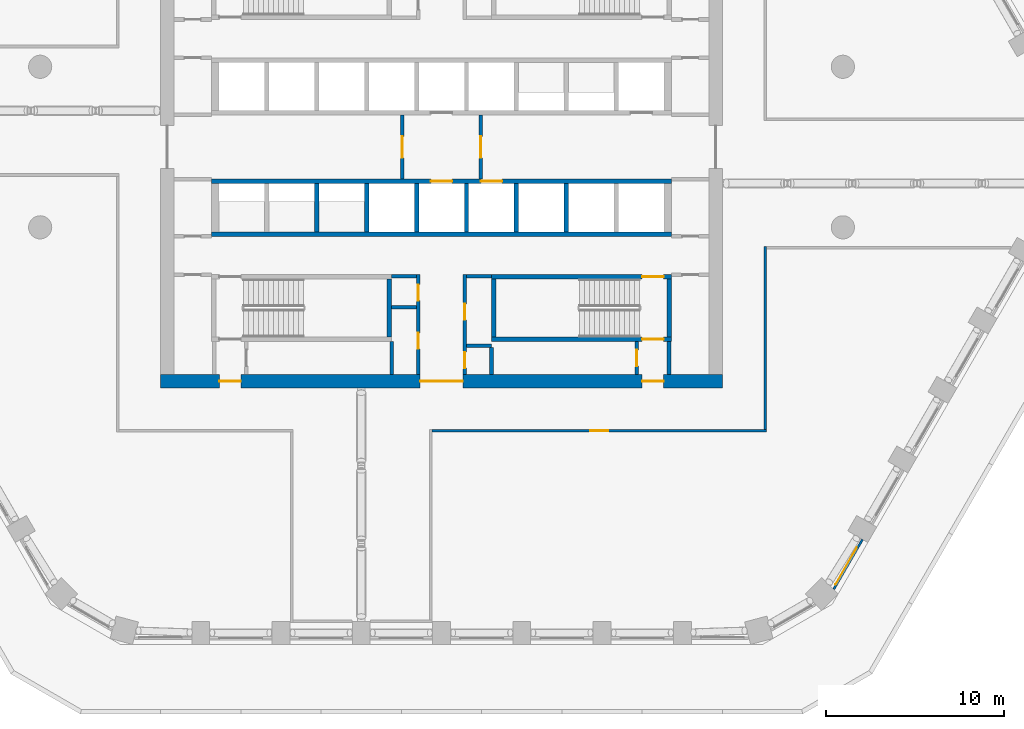
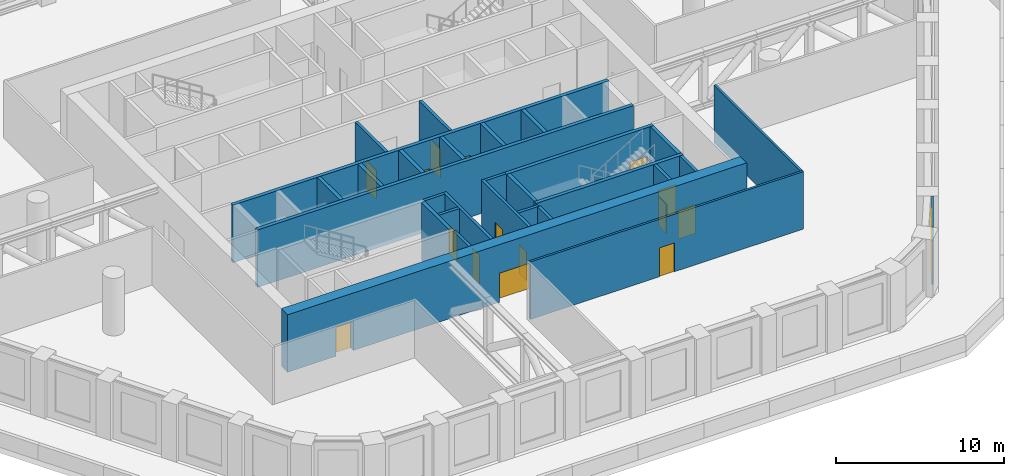
# One storey, part 7 of 18: 29 walls, 15 doors, 1 window, 16 openings.
"""IFC4 building model written with IfcOpenShell, lengths in metres."""

from ifc_helpers import new_model, si_unit, direction, frame, frame_2d, origin, place, context, subcontext, project, spatial, polyline, rectangle, outline, extrude, material, layer, layer_set, type_object, element, fill, save


model = new_model("IFC4")

# Units and contexts
model_context = context("Model", 3, precision=1e-05, world=origin(), true_north=direction((0.0, 1.0)))
body_context = subcontext(model_context, "Body", "Model", "MODEL_VIEW")
ifc_project = project(units=[si_unit("LENGTHUNIT", "METRE"), si_unit("AREAUNIT", "SQUARE_METRE"), si_unit("VOLUMEUNIT", "CUBIC_METRE"), si_unit("PLANEANGLEUNIT", "RADIAN"), si_unit("MASSUNIT", "GRAM", prefix="KILO")], contexts=[model_context])

# Site, building, storey
site_placement = place(None, origin())
site = spatial("IfcSite", under=ifc_project, at=site_placement, CompositionType="ELEMENT")
building_placement = place(site_placement, origin())
building = spatial("IfcBuilding", under=site, at=building_placement, Name="Dhurran Vertical Campus", CompositionType="ELEMENT")
storey_placement = place(building_placement, frame((0.0, 0.0, 128.10009765625)))
storey = spatial("IfcBuildingStorey", under=building, at=storey_placement, Name="L31 Plant", CompositionType="ELEMENT", Elevation=128.10009765625)

# Wall, opening, window
ifc_material_1 = material(Name="Precast concrete C50/60", Category="concrete")
ifc_layer_1 = layer(ifc_material_1, 0.1201171875)
ifc_layer_set_1 = layer_set([ifc_layer_1], Name="Precast concrete C50/60")
wall_type_1 = type_object("IfcWallType", Name="Precast louvre-bay panel 120", PredefinedType="SOLIDWALL", material=ifc_layer_set_1)
wall_1_placement = place(storey_placement, frame((21.989990234375, -24.783935546875, 0.0), z_axis=(0.0, 0.0, 1.0), x_axis=(0.500031105231, 0.866007444426, 0.0)))
wall_1 = element("IfcWall", 1, at=wall_1_placement, inside=storey, type_object=wall_type_1, Name="EW4 L31.09", PredefinedType="SOLIDWALL", context=body_context, shape_type="SweptSolid", body=[
    extrude(rectangle(XDim=3.218017578125, YDim=0.1201171875, at=frame_2d((1.60888671875, 0.0))), origin(), (0.0, 0.0, 1.0), 4.1748046875),
])
opening_1_placement = place(wall_1_placement, frame((0.2685546875, 0.0, 0.60009765625)))
opening_1 = element("IfcOpeningElement", 2, at=opening_1_placement, cuts=wall_1, Name="Opening WT4", PredefinedType="OPENING", context=body_context, shape_type="SweptSolid", body=[
    extrude(rectangle(XDim=2.39990234375, YDim=3.0, at=frame_2d((1.199951171875, 1.5))), frame((0.0, 0.070068359375, 0.0), z_axis=(0.0, -1.0, 0.0), x_axis=(1.0, 0.0, 0.0)), (0.0, 0.0, 1.0), 0.14013671875),
])
ifc_material_2 = material(Name="Aluminium louvre", Category="aluminium")
window_type = type_object("IfcWindowType", Name="Louvred plant vent 2400 x 3000", PartitioningType="SINGLE_PANEL", PredefinedType="WINDOW", material=ifc_material_2)
window_placement = place(opening_1_placement, origin())
window = element("IfcWindow", 3, at=window_placement, inside=storey, type_object=window_type, Name="WT4 L31.09", OverallHeight=3.0, OverallWidth=2.39990234375, PartitioningType="SINGLE_PANEL", PredefinedType="WINDOW", context=body_context, shape_type="SweptSolid", body=[
    extrude(rectangle(XDim=2.39990234375, YDim=3.0, at=frame_2d((1.199951171875, 1.5))), frame((0.0, 0.06005859375, 0.0), z_axis=(0.0, -1.0, 0.0), x_axis=(1.0, 0.0, 0.0)), (0.0, 0.0, 1.0), 0.02001953125),
])
fill(opening_1, window)

# Wall, openings, doors
ifc_material_3 = material(Name="Concrete C60/75", Category="concrete")
ifc_layer_2 = layer(ifc_material_3, 0.75)
ifc_layer_set_2 = layer_set([ifc_layer_2], Name="Concrete C60/75")
wall_type_2 = type_object("IfcWallType", Name="co-CORE-WALL-C1-750", PredefinedType="SHEAR", material=ifc_layer_set_2)
wall_2_placement = place(storey_placement, frame((-15.75, -13.125, 0.0), z_axis=(0.0, 0.0, 1.0), x_axis=(1.0, 0.0, 0.0)))
wall_2 = element("IfcWall", 4, at=wall_2_placement, inside=storey, type_object=wall_type_2, Name="Core wall S L31", PredefinedType="SHEAR", context=body_context, shape_type="SweptSolid", body=[
    extrude(rectangle(XDim=31.5, YDim=0.75, at=frame_2d((15.75, 0.0))), origin(), (0.0, 0.0, 1.0), 4.1748046875),
])
opening_2_placement = place(wall_2_placement, frame((14.550048828125, 0.0, 0.0)))
opening_2 = element("IfcOpeningElement", 5, at=opening_2_placement, cuts=wall_2, Name="Opening CV2", PredefinedType="OPENING", context=body_context, shape_type="SweptSolid", body=[
    extrude(rectangle(XDim=2.39990234375, YDim=2.10009765625, at=frame_2d((1.199951171875, 1.050048828125))), frame((0.0, 0.385009765625, 0.0), z_axis=(0.0, -1.0, 0.0), x_axis=(1.0, 0.0, 0.0)), (0.0, 0.0, 1.0), 0.77001953125),
])
opening_3_placement = place(wall_2_placement, frame((3.300048828125, 0.0, 0.0)))
opening_3 = element("IfcOpeningElement", 6, at=opening_3_placement, cuts=wall_2, Name="Opening XD3", PredefinedType="OPENING", context=body_context, shape_type="SweptSolid", body=[
    extrude(rectangle(XDim=1.199951171875, YDim=2.10009765625, at=frame_2d((0.60009765625, 1.050048828125))), frame((0.0, 0.385009765625, 0.0), z_axis=(0.0, -1.0, 0.0), x_axis=(1.0, 0.0, 0.0)), (0.0, 0.0, 1.0), 0.77001953125),
])
opening_4_placement = place(wall_2_placement, frame((27.0, 0.0, 0.0)))
opening_4 = element("IfcOpeningElement", 7, at=opening_4_placement, cuts=wall_2, Name="Opening XD4", PredefinedType="OPENING", context=body_context, shape_type="SweptSolid", body=[
    extrude(rectangle(XDim=1.199951171875, YDim=2.10009765625, at=frame_2d((0.60009765625, 1.050048828125))), frame((0.0, 0.385009765625, 0.0), z_axis=(0.0, -1.0, 0.0), x_axis=(1.0, 0.0, 0.0)), (0.0, 0.0, 1.0), 0.77001953125),
])
ifc_material_4 = material(Name="Fire-rated glazed door set")
door_type_1 = type_object("IfcDoorType", Name="co-D-LOBBY 2400x2100", OperationType="DOUBLE_DOOR_DOUBLE_SWING", PredefinedType="DOOR", material=ifc_material_4)
door_1_placement = place(opening_2_placement, origin())
door_1 = element("IfcDoor", 8, at=door_1_placement, inside=storey, type_object=door_type_1, Name="Core vestibule door S L31", OperationType="DOUBLE_DOOR_DOUBLE_SWING", OverallHeight=2.10009765625, OverallWidth=2.39990234375, PredefinedType="DOOR", context=body_context, shape_type="SweptSolid", body=[
    extrude(rectangle(XDim=2.39990234375, YDim=2.10009765625, at=frame_2d((1.199951171875, 1.050048828125))), frame((0.0, 0.02490234375, 0.0), z_axis=(0.0, -1.0, 0.0), x_axis=(1.0, 0.0, 0.0)), (0.0, 0.0, 1.0), 0.050048828125),
])
fill(opening_2, door_1)
ifc_material_5 = material(Name="Fire-rated steel door set", Category="steel")
door_type_2 = type_object("IfcDoorType", Name="co-D-STAIR-EXIT 1200x2100", OperationType="SINGLE_SWING_RIGHT", PredefinedType="DOOR", material=ifc_material_5)
door_2_placement = place(opening_3_placement, origin())
door_2 = element("IfcDoor", 9, at=door_2_placement, inside=storey, type_object=door_type_2, Name="Stair ST3 exit door L31", OperationType="SINGLE_SWING_RIGHT", OverallHeight=2.10009765625, OverallWidth=1.199951171875, PredefinedType="DOOR", context=body_context, shape_type="SweptSolid", body=[
    extrude(rectangle(XDim=1.199951171875, YDim=2.10009765625, at=frame_2d((0.60009765625, 1.050048828125))), frame((0.0, 0.02490234375, 0.0), z_axis=(0.0, -1.0, 0.0), x_axis=(1.0, 0.0, 0.0)), (0.0, 0.0, 1.0), 0.050048828125),
])
fill(opening_3, door_2)
door_3_placement = place(opening_4_placement, origin())
door_3 = element("IfcDoor", 10, at=door_3_placement, inside=storey, type_object=door_type_2, Name="Stair ST4 exit door L31", OperationType="SINGLE_SWING_RIGHT", OverallHeight=2.10009765625, OverallWidth=1.199951171875, PredefinedType="DOOR", context=body_context, shape_type="SweptSolid", body=[
    extrude(rectangle(XDim=1.199951171875, YDim=2.10009765625, at=frame_2d((0.60009765625, 1.050048828125))), frame((0.0, 0.02490234375, 0.0), z_axis=(0.0, -1.0, 0.0), x_axis=(1.0, 0.0, 0.0)), (0.0, 0.0, 1.0), 0.050048828125),
])
fill(opening_4, door_3)

# Wall, opening, door
ifc_material_6 = material(Name="Fire-rated masonry blockwork", Category="masonry")
ifc_layer_3 = layer(ifc_material_6, 0.199951171875)
ifc_layer_set_3 = layer_set([ifc_layer_3], Name="Fire-rated masonry blockwork")
wall_type_3 = type_object("IfcWallType", Name="co-FIRE-PARTITION-200", PredefinedType="PARTITIONING", material=ifc_layer_set_3)
wall_3_placement = place(storey_placement, frame((-2.199951171875, -1.800048828125, 0.0), z_axis=(0.0, 0.0, 1.0), x_axis=(0.0, 1.0, 0.0)))
wall_3 = element("IfcWall", 11, at=wall_3_placement, inside=storey, type_object=wall_type_3, Name="Firefighting lobby wall W L31", PredefinedType="PARTITIONING", context=body_context, shape_type="SweptSolid", body=[
    extrude(rectangle(XDim=3.60009765625, YDim=0.199951171875, at=frame_2d((1.800048828125, 0.0))), origin(), (0.0, 0.0, 1.0), 4.1748046875),
])
opening_5_placement = place(wall_3_placement, frame((1.199951171875, 0.0, 0.0)))
opening_5 = element("IfcOpeningElement", 12, at=opening_5_placement, cuts=wall_3, Name="Opening FL1", PredefinedType="OPENING", context=body_context, shape_type="SweptSolid", body=[
    extrude(rectangle(XDim=1.199951171875, YDim=2.10009765625, at=frame_2d((0.60009765625, 1.050048828125))), frame((0.0, 0.10986328125, 0.0), z_axis=(0.0, -1.0, 0.0), x_axis=(1.0, 0.0, 0.0)), (0.0, 0.0, 1.0), 0.219970703125),
])
ifc_material_7 = material(Name="Fire-rated steel door set", Category="steel")
door_type_3 = type_object("IfcDoorType", Name="co-D-FFLOBBY 1200x2100", OperationType="SINGLE_SWING_LEFT", PredefinedType="DOOR", material=ifc_material_7)
door_4_placement = place(opening_5_placement, origin())
door_4 = element("IfcDoor", 13, at=door_4_placement, inside=storey, type_object=door_type_3, Name="Firefighting lobby door W L31", OperationType="SINGLE_SWING_LEFT", OverallHeight=2.10009765625, OverallWidth=1.199951171875, PredefinedType="DOOR", context=body_context, shape_type="SweptSolid", body=[
    extrude(rectangle(XDim=1.199951171875, YDim=2.10009765625, at=frame_2d((0.60009765625, 1.050048828125))), frame((0.0, 0.02490234375, 0.0), z_axis=(0.0, -1.0, 0.0), x_axis=(1.0, 0.0, 0.0)), (0.0, 0.0, 1.0), 0.050048828125),
])
fill(opening_5, door_4)

wall_4_placement = place(storey_placement, frame((2.199951171875, -1.800048828125, 0.0), z_axis=(0.0, 0.0, 1.0), x_axis=(0.0, 1.0, 0.0)))
wall_4 = element("IfcWall", 14, at=wall_4_placement, inside=storey, type_object=wall_type_3, Name="Firefighting lobby wall E L31", PredefinedType="PARTITIONING", context=body_context, shape_type="SweptSolid", body=[
    extrude(rectangle(XDim=3.60009765625, YDim=0.199951171875, at=frame_2d((1.800048828125, 0.0))), origin(), (0.0, 0.0, 1.0), 4.1748046875),
])
opening_6_placement = place(wall_4_placement, frame((1.199951171875, 0.0, 0.0)))
opening_6 = element("IfcOpeningElement", 15, at=opening_6_placement, cuts=wall_4, Name="Opening FL2", PredefinedType="OPENING", context=body_context, shape_type="SweptSolid", body=[
    extrude(rectangle(XDim=1.199951171875, YDim=2.10009765625, at=frame_2d((0.60009765625, 1.050048828125))), frame((0.0, 0.10986328125, 0.0), z_axis=(0.0, -1.0, 0.0), x_axis=(1.0, 0.0, 0.0)), (0.0, 0.0, 1.0), 0.219970703125),
])
door_5_placement = place(opening_6_placement, origin())
door_5 = element("IfcDoor", 16, at=door_5_placement, inside=storey, type_object=door_type_3, Name="Firefighting lobby door E L31", OperationType="SINGLE_SWING_LEFT", OverallHeight=2.10009765625, OverallWidth=1.199951171875, PredefinedType="DOOR", context=body_context, shape_type="SweptSolid", body=[
    extrude(rectangle(XDim=1.199951171875, YDim=2.10009765625, at=frame_2d((0.60009765625, 1.050048828125))), frame((0.0, 0.02490234375, 0.0), z_axis=(0.0, -1.0, 0.0), x_axis=(1.0, 0.0, 0.0)), (0.0, 0.0, 1.0), 0.050048828125),
])
fill(opening_6, door_5)

# Walls
for number, where, z_axis, x_axis, name in (
    (17, (-2.800048828125, -7.25, 0.0), (0.0, 0.0, 1.0), (1.0, 0.0, 0.0), "Core partition sl-SW-S L31"),
    (18, (-2.800048828125, -8.969970703125, 0.0), (0.0, 0.0, 1.0), (1.0, 0.0, 0.0), "Core partition sl-SW-cut0 L31"),
    (19, (1.39990234375, -7.25, 0.0), (0.0, 0.0, 1.0), (1.0, 0.0, 0.0), "Core partition sl-SE-S L31"),
    (20, (1.39990234375, -11.1298828125, 0.0), (0.0, 0.0, 1.0), (1.0, 0.0, 0.0), "Core partition sl-SE-cut0 L31"),
):
    element("IfcWall", number, at=place(storey_placement, frame(where, z_axis=z_axis, x_axis=x_axis)), inside=storey, type_object=wall_type_3, Name=name, PredefinedType="PARTITIONING", context=body_context, shape_type="SweptSolid", body=[
        extrude(rectangle(XDim=1.400146484375, YDim=0.199951171875, at=frame_2d((0.7001953125, 0.0))), origin(), (0.0, 0.0, 1.0), 4.1748046875),
    ])

# Wall, openings, doors
wall_5_placement = place(storey_placement, frame((-1.300048828125, -12.75, 0.0), z_axis=(0.0, 0.0, 1.0), x_axis=(0.0, 1.0, 0.0)))
wall_5 = element("IfcWall", 21, at=wall_5_placement, inside=storey, type_object=wall_type_3, Name="Core partition vest-SW L31", PredefinedType="PARTITIONING", context=body_context, shape_type="SweptSolid", body=[
    extrude(rectangle(XDim=5.60009765625, YDim=0.199951171875, at=frame_2d((2.800048828125, 0.0))), origin(), (0.0, 0.0, 1.0), 4.1748046875),
])
opening_7_placement = place(wall_5_placement, frame((1.43994140625, 0.0, 0.0)))
opening_7 = element("IfcOpeningElement", 22, at=opening_7_placement, cuts=wall_5, Name="Opening BR31-C1", PredefinedType="OPENING", context=body_context, shape_type="SweptSolid", body=[
    extrude(rectangle(XDim=0.89990234375, YDim=2.10009765625, at=frame_2d((0.449951171875, 1.050048828125))), frame((0.0, 0.10986328125, 0.0), z_axis=(0.0, -1.0, 0.0), x_axis=(1.0, 0.0, 0.0)), (0.0, 0.0, 1.0), 0.219970703125),
])
opening_8_placement = place(wall_5_placement, frame((4.139892578125, 0.0, 0.0)))
opening_8 = element("IfcOpeningElement", 23, at=opening_8_placement, cuts=wall_5, Name="Opening BR31-C2", PredefinedType="OPENING", context=body_context, shape_type="SweptSolid", body=[
    extrude(rectangle(XDim=0.89990234375, YDim=2.10009765625, at=frame_2d((0.449951171875, 1.050048828125))), frame((0.0, 0.10986328125, 0.0), z_axis=(0.0, -1.0, 0.0), x_axis=(1.0, 0.0, 0.0)), (0.0, 0.0, 1.0), 0.219970703125),
])
ifc_material_8 = material(Name="Fire-rated timber door set", Category="wood")
door_type_4 = type_object("IfcDoorType", Name="co-D-ROOM 900x2100", OperationType="SINGLE_SWING_LEFT", PredefinedType="DOOR", material=ifc_material_8)
door_6_placement = place(opening_7_placement, origin())
door_6 = element("IfcDoor", 24, at=door_6_placement, inside=storey, type_object=door_type_4, Name="Sprinkler valve room door L31", OperationType="SINGLE_SWING_LEFT", OverallHeight=2.10009765625, OverallWidth=0.89990234375, PredefinedType="DOOR", context=body_context, shape_type="SweptSolid", body=[
    extrude(rectangle(XDim=0.89990234375, YDim=2.10009765625, at=frame_2d((0.449951171875, 1.050048828125))), frame((0.0, 0.02490234375, 0.0), z_axis=(0.0, -1.0, 0.0), x_axis=(1.0, 0.0, 0.0)), (0.0, 0.0, 1.0), 0.050048828125),
])
fill(opening_7, door_6)
door_7_placement = place(opening_8_placement, origin())
door_7 = element("IfcDoor", 25, at=door_7_placement, inside=storey, type_object=door_type_4, Name="Air handling plant room door L31", OperationType="SINGLE_SWING_LEFT", OverallHeight=2.10009765625, OverallWidth=0.89990234375, PredefinedType="DOOR", context=body_context, shape_type="SweptSolid", body=[
    extrude(rectangle(XDim=0.89990234375, YDim=2.10009765625, at=frame_2d((0.449951171875, 1.050048828125))), frame((0.0, 0.02490234375, 0.0), z_axis=(0.0, -1.0, 0.0), x_axis=(1.0, 0.0, 0.0)), (0.0, 0.0, 1.0), 0.050048828125),
])
fill(opening_8, door_7)

wall_6_placement = place(storey_placement, frame((1.300048828125, -12.75, 0.0), z_axis=(0.0, 0.0, 1.0), x_axis=(0.0, 1.0, 0.0)))
wall_6 = element("IfcWall", 26, at=wall_6_placement, inside=storey, type_object=wall_type_3, Name="Core partition vest-SE L31", PredefinedType="PARTITIONING", context=body_context, shape_type="SweptSolid", body=[
    extrude(rectangle(XDim=5.60009765625, YDim=0.199951171875, at=frame_2d((2.800048828125, 0.0))), origin(), (0.0, 0.0, 1.0), 4.1748046875),
])
opening_9_placement = place(wall_6_placement, frame((0.360107421875, 0.0, 0.0)))
opening_9 = element("IfcOpeningElement", 27, at=opening_9_placement, cuts=wall_6, Name="Opening BR31-C3", PredefinedType="OPENING", context=body_context, shape_type="SweptSolid", body=[
    extrude(rectangle(XDim=0.89990234375, YDim=2.10009765625, at=frame_2d((0.449951171875, 1.050048828125))), frame((0.0, 0.10986328125, 0.0), z_axis=(0.0, -1.0, 0.0), x_axis=(1.0, 0.0, 0.0)), (0.0, 0.0, 1.0), 0.219970703125),
])
opening_10_placement = place(wall_6_placement, frame((3.06005859375, 0.0, 0.0)))
opening_10 = element("IfcOpeningElement", 28, at=opening_10_placement, cuts=wall_6, Name="Opening BR31-C4", PredefinedType="OPENING", context=body_context, shape_type="SweptSolid", body=[
    extrude(rectangle(XDim=0.89990234375, YDim=2.10009765625, at=frame_2d((0.449951171875, 1.050048828125))), frame((0.0, 0.10986328125, 0.0), z_axis=(0.0, -1.0, 0.0), x_axis=(1.0, 0.0, 0.0)), (0.0, 0.0, 1.0), 0.219970703125),
])
door_8_placement = place(opening_9_placement, origin())
door_8 = element("IfcDoor", 29, at=door_8_placement, inside=storey, type_object=door_type_4, Name="Electrical plant room door L31", OperationType="SINGLE_SWING_LEFT", OverallHeight=2.10009765625, OverallWidth=0.89990234375, PredefinedType="DOOR", context=body_context, shape_type="SweptSolid", body=[
    extrude(rectangle(XDim=0.89990234375, YDim=2.10009765625, at=frame_2d((0.449951171875, 1.050048828125))), frame((0.0, 0.02490234375, 0.0), z_axis=(0.0, -1.0, 0.0), x_axis=(1.0, 0.0, 0.0)), (0.0, 0.0, 1.0), 0.050048828125),
])
fill(opening_9, door_8)
door_9_placement = place(opening_10_placement, origin())
door_9 = element("IfcDoor", 30, at=door_9_placement, inside=storey, type_object=door_type_4, Name="Water tank room door L31", OperationType="SINGLE_SWING_LEFT", OverallHeight=2.10009765625, OverallWidth=0.89990234375, PredefinedType="DOOR", context=body_context, shape_type="SweptSolid", body=[
    extrude(rectangle(XDim=0.89990234375, YDim=2.10009765625, at=frame_2d((0.449951171875, 1.050048828125))), frame((0.0, 0.02490234375, 0.0), z_axis=(0.0, -1.0, 0.0), x_axis=(1.0, 0.0, 0.0)), (0.0, 0.0, 1.0), 0.050048828125),
])
fill(opening_10, door_9)

# Wall
wall_7_placement = place(storey_placement, frame((12.75, -12.75, 0.0), z_axis=(0.0, 0.0, 1.0), x_axis=(0.0, 1.0, 0.0)))
element("IfcWall", 31, at=wall_7_placement, inside=storey, type_object=wall_type_3, Name="Core partition pass-ST4-o L31", PredefinedType="PARTITIONING", context=body_context, shape_type="SweptSolid", body=[
    extrude(rectangle(XDim=1.85009765625, YDim=0.199951171875, at=frame_2d((0.925048828125, 0.0))), origin(), (0.0, 0.0, 1.0), 4.1748046875),
])

# Wall, opening, door
wall_8_placement = place(storey_placement, frame((10.949951171875, -12.75, 0.0), z_axis=(0.0, 0.0, 1.0), x_axis=(0.0, 1.0, 0.0)))
wall_8 = element("IfcWall", 32, at=wall_8_placement, inside=storey, type_object=wall_type_3, Name="Core partition pass-ST4-i L31", PredefinedType="PARTITIONING", context=body_context, shape_type="SweptSolid", body=[
    extrude(rectangle(XDim=1.85009765625, YDim=0.199951171875, at=frame_2d((0.925048828125, 0.0))), origin(), (0.0, 0.0, 1.0), 4.1748046875),
])
opening_11_placement = place(wall_8_placement, frame((0.47509765625, 0.0, 0.0)))
opening_11 = element("IfcOpeningElement", 33, at=opening_11_placement, cuts=wall_8, Name="Opening BR31-C12", PredefinedType="OPENING", context=body_context, shape_type="SweptSolid", body=[
    extrude(rectangle(XDim=0.89990234375, YDim=2.10009765625, at=frame_2d((0.449951171875, 1.050048828125))), frame((0.0, 0.10986328125, 0.0), z_axis=(0.0, -1.0, 0.0), x_axis=(1.0, 0.0, 0.0)), (0.0, 0.0, 1.0), 0.219970703125),
])
door_10_placement = place(opening_11_placement, origin())
door_10 = element("IfcDoor", 34, at=door_10_placement, inside=storey, type_object=door_type_4, Name="Riser room door L31", OperationType="SINGLE_SWING_LEFT", OverallHeight=2.10009765625, OverallWidth=0.89990234375, PredefinedType="DOOR", context=body_context, shape_type="SweptSolid", body=[
    extrude(rectangle(XDim=0.89990234375, YDim=2.10009765625, at=frame_2d((0.449951171875, 1.050048828125))), frame((0.0, 0.02490234375, 0.0), z_axis=(0.0, -1.0, 0.0), x_axis=(1.0, 0.0, 0.0)), (0.0, 0.0, 1.0), 0.050048828125),
])
fill(opening_11, door_10)

# Walls
wall_9_placement = place(storey_placement, frame((-2.800048828125, -12.7490234375, 0.0), z_axis=(0.0, 0.0, 1.0), x_axis=(0.0, 1.0, 0.0)))
element("IfcWall", 35, at=wall_9_placement, inside=storey, type_object=wall_type_3, Name="Riser enclosure wall L31", PredefinedType="PARTITIONING", context=body_context, shape_type="SweptSolid", body=[
    extrude(rectangle(XDim=1.84814453125, YDim=0.199951171875, at=frame_2d((0.924072265625, 0.0))), origin(), (0.0, 0.0, 1.0), 4.1748046875),
])
wall_10_placement = place(storey_placement, frame((2.800048828125, -11.23095703125, 0.0), z_axis=(0.0, 0.0, 1.0), x_axis=(0.0, -1.0, 0.0)))
element("IfcWall", 36, at=wall_10_placement, inside=storey, type_object=wall_type_3, Name="Riser enclosure wall L31", PredefinedType="PARTITIONING", context=body_context, shape_type="SweptSolid", body=[
    extrude(rectangle(XDim=1.51806640625, YDim=0.199951171875, at=frame_2d((0.759033203125, 0.0))), origin(), (0.0, 0.0, 1.0), 4.1748046875),
])

# Wall, openings, doors
ifc_material_9 = material(Name="Concrete C50/60", Category="concrete")
ifc_layer_4 = layer(ifc_material_9, 0.25)
ifc_layer_set_4 = layer_set([ifc_layer_4], Name="Concrete C50/60")
wall_type_4 = type_object("IfcWallType", Name="co-SHAFT-FRONT-250", PredefinedType="SHEAR", material=ifc_layer_set_4)
wall_11_placement = place(storey_placement, frame((-12.89990234375, -1.925048828125, 0.0), z_axis=(0.0, 0.0, 1.0), x_axis=(1.0, 0.0, 0.0)))
wall_11 = element("IfcWall", 37, at=wall_11_placement, inside=storey, type_object=wall_type_4, Name="Lift landing wall S L31", PredefinedType="SHEAR", context=body_context, shape_type="SweptSolid", body=[
    extrude(rectangle(XDim=25.7998046875, YDim=0.25, at=frame_2d((12.89990234375, 0.0))), origin(), (0.0, 0.0, 1.0), 4.1748046875),
])
opening_12_placement = place(wall_11_placement, frame((12.300048828125, 0.0, 0.0)))
opening_12 = element("IfcOpeningElement", 38, at=opening_12_placement, cuts=wall_11, Name="Opening LD", PredefinedType="OPENING", context=body_context, shape_type="SweptSolid", body=[
    extrude(rectangle(XDim=1.199951171875, YDim=2.10009765625, at=frame_2d((0.60009765625, 1.050048828125))), frame((0.0, 0.135009765625, 0.0), z_axis=(0.0, -1.0, 0.0), x_axis=(1.0, 0.0, 0.0)), (0.0, 0.0, 1.0), 0.27001953125),
])
opening_13_placement = place(wall_11_placement, frame((15.10009765625, 0.0, 0.0)))
opening_13 = element("IfcOpeningElement", 39, at=opening_13_placement, cuts=wall_11, Name="Opening LD", PredefinedType="OPENING", context=body_context, shape_type="SweptSolid", body=[
    extrude(rectangle(XDim=1.199951171875, YDim=2.10009765625, at=frame_2d((0.60009765625, 1.050048828125))), frame((0.0, 0.135009765625, 0.0), z_axis=(0.0, -1.0, 0.0), x_axis=(1.0, 0.0, 0.0)), (0.0, 0.0, 1.0), 0.27001953125),
])
ifc_material_10 = material(Name="Stainless steel landing door", Category="steel")
door_type_5 = type_object("IfcDoorType", Name="co-D-LANDING 1200x2100", OperationType="DOUBLE_DOOR_SLIDING", PredefinedType="DOOR", material=ifc_material_10)
door_11_placement = place(opening_12_placement, origin())
door_11 = element("IfcDoor", 40, at=door_11_placement, inside=storey, type_object=door_type_5, Name="Landing door FF2 L31", OperationType="DOUBLE_DOOR_SLIDING", OverallHeight=2.10009765625, OverallWidth=1.199951171875, PredefinedType="DOOR", context=body_context, shape_type="SweptSolid", body=[
    extrude(rectangle(XDim=1.199951171875, YDim=2.10009765625, at=frame_2d((0.60009765625, 1.050048828125))), frame((0.0, 0.02490234375, 0.0), z_axis=(0.0, -1.0, 0.0), x_axis=(1.0, 0.0, 0.0)), (0.0, 0.0, 1.0), 0.050048828125),
])
fill(opening_12, door_11)
door_12_placement = place(opening_13_placement, origin())
door_12 = element("IfcDoor", 41, at=door_12_placement, inside=storey, type_object=door_type_5, Name="Landing door SV1 L31", OperationType="DOUBLE_DOOR_SLIDING", OverallHeight=2.10009765625, OverallWidth=1.199951171875, PredefinedType="DOOR", context=body_context, shape_type="SweptSolid", body=[
    extrude(rectangle(XDim=1.199951171875, YDim=2.10009765625, at=frame_2d((0.60009765625, 1.050048828125))), frame((0.0, 0.02490234375, 0.0), z_axis=(0.0, -1.0, 0.0), x_axis=(1.0, 0.0, 0.0)), (0.0, 0.0, 1.0), 0.050048828125),
])
fill(opening_13, door_12)

# Walls
ifc_material_11 = material(Name="Concrete C50/60", Category="concrete")
ifc_layer_5 = layer(ifc_material_11, 0.25)
ifc_layer_set_5 = layer_set([ifc_layer_5], Name="Concrete C50/60")
wall_type_5 = type_object("IfcWallType", Name="co-SHAFT-MASS-250", PredefinedType="SHEAR", material=ifc_layer_set_5)
wall_12_placement = place(storey_placement, origin())
element("IfcWall", 42, at=wall_12_placement, inside=storey, type_object=wall_type_5, Name="Lift shaft wall S L31 1", PredefinedType="SHEAR", context=body_context, shape_type="SweptSolid", body=[
    extrude(outline(polyline([(-12.89990234375, -5.0), (12.89990234375, -5.0), (12.89990234375, -4.75), (-12.89990234375, -4.75), (-12.89990234375, -5.0)])), origin(), (0.0, 0.0, 1.0), 4.1748046875),
])
wall_13_placement = place(storey_placement, origin())
element("IfcWall", 43, at=wall_13_placement, inside=storey, type_object=wall_type_5, Name="Lift shaft wall S L31 4", PredefinedType="SHEAR", context=body_context, shape_type="SweptSolid", body=[
    extrude(outline(polyline([(-7.125, -4.75), (-6.875, -4.75), (-6.875, -2.050048828125), (-7.125, -2.050048828125), (-7.125, -4.75)])), origin(), (0.0, 0.0, 1.0), 4.1748046875),
])
wall_14_placement = place(storey_placement, origin())
element("IfcWall", 44, at=wall_14_placement, inside=storey, type_object=wall_type_5, Name="Lift shaft wall S L31 5", PredefinedType="SHEAR", context=body_context, shape_type="SweptSolid", body=[
    extrude(outline(polyline([(-4.324951171875, -4.75), (-4.074951171875, -4.75), (-4.074951171875, -2.050048828125), (-4.324951171875, -2.050048828125), (-4.324951171875, -4.75)])), origin(), (0.0, 0.0, 1.0), 4.1748046875),
])
wall_15_placement = place(storey_placement, origin())
element("IfcWall", 45, at=wall_15_placement, inside=storey, type_object=wall_type_5, Name="Lift shaft wall S L31 6", PredefinedType="SHEAR", context=body_context, shape_type="SweptSolid", body=[
    extrude(outline(polyline([(-1.52490234375, -4.75), (-1.27490234375, -4.75), (-1.27490234375, -2.050048828125), (-1.52490234375, -2.050048828125), (-1.52490234375, -4.75)])), origin(), (0.0, 0.0, 1.0), 4.1748046875),
])
wall_16_placement = place(storey_placement, origin())
element("IfcWall", 46, at=wall_16_placement, inside=storey, type_object=wall_type_5, Name="Lift shaft wall S L31 7", PredefinedType="SHEAR", context=body_context, shape_type="SweptSolid", body=[
    extrude(outline(polyline([(1.27490234375, -4.75), (1.52490234375, -4.75), (1.52490234375, -2.050048828125), (1.27490234375, -2.050048828125), (1.27490234375, -4.75)])), origin(), (0.0, 0.0, 1.0), 4.1748046875),
])
wall_17_placement = place(storey_placement, origin())
element("IfcWall", 47, at=wall_17_placement, inside=storey, type_object=wall_type_5, Name="Lift shaft wall S L31 8", PredefinedType="SHEAR", context=body_context, shape_type="SweptSolid", body=[
    extrude(outline(polyline([(4.074951171875, -4.75), (4.324951171875, -4.75), (4.324951171875, -2.050048828125), (4.074951171875, -2.050048828125), (4.074951171875, -4.75)])), origin(), (0.0, 0.0, 1.0), 4.1748046875),
])
wall_18_placement = place(storey_placement, origin())
element("IfcWall", 48, at=wall_18_placement, inside=storey, type_object=wall_type_5, Name="Lift shaft wall S L31 9", PredefinedType="SHEAR", context=body_context, shape_type="SweptSolid", body=[
    extrude(outline(polyline([(6.875, -4.75), (7.125, -4.75), (7.125, -2.050048828125), (6.875, -2.050048828125), (6.875, -4.75)])), origin(), (0.0, 0.0, 1.0), 4.1748046875),
])
ifc_material_12 = material(Name="Concrete C40/50", Category="concrete")
ifc_layer_6 = layer(ifc_material_12, 0.25)
ifc_layer_set_6 = layer_set([ifc_layer_6], Name="Concrete C40/50")
wall_type_6 = type_object("IfcWallType", Name="co-STAIR-WALL-250", PredefinedType="SHEAR", material=ifc_layer_set_6)
wall_19_placement = place(storey_placement, frame((-2.925048828125, -10.64990234375, 0.0), z_axis=(0.0, 0.0, 1.0), x_axis=(0.0, 1.0, 0.0)))
element("IfcWall", 49, at=wall_19_placement, inside=storey, type_object=wall_type_6, Name="Stair ST3 enclosure wall L31", PredefinedType="SHEAR", context=body_context, shape_type="SweptSolid", body=[
    extrude(rectangle(XDim=3.25, YDim=0.25, at=frame_2d((1.625, 0.0))), origin(), (0.0, 0.0, 1.0), 4.1748046875),
])

# Wall, opening, door
wall_20_placement = place(storey_placement, frame((2.800048828125, -10.77490234375, 0.0), z_axis=(0.0, 0.0, 1.0), x_axis=(1.0, 0.0, 0.0)))
wall_20 = element("IfcWall", 50, at=wall_20_placement, inside=storey, type_object=wall_type_6, Name="Stair ST4 enclosure wall L31", PredefinedType="SHEAR", context=body_context, shape_type="SweptSolid", body=[
    extrude(rectangle(XDim=10.099853515625, YDim=0.25, at=frame_2d((5.0498046875, 0.0))), origin(), (0.0, 0.0, 1.0), 4.1748046875),
])
opening_14_placement = place(wall_20_placement, frame((8.449951171875, 0.0, 0.0)))
opening_14 = element("IfcOpeningElement", 51, at=opening_14_placement, cuts=wall_20, Name="Opening XS4", PredefinedType="OPENING", context=body_context, shape_type="SweptSolid", body=[
    extrude(rectangle(XDim=1.199951171875, YDim=2.10009765625, at=frame_2d((0.60009765625, 1.050048828125))), frame((0.0, 0.135009765625, 0.0), z_axis=(0.0, -1.0, 0.0), x_axis=(1.0, 0.0, 0.0)), (0.0, 0.0, 1.0), 0.27001953125),
])
door_13_placement = place(opening_14_placement, origin())
door_13 = element("IfcDoor", 52, at=door_13_placement, inside=storey, type_object=door_type_2, Name="Stair ST4 discharge door L31", OperationType="SINGLE_SWING_RIGHT", OverallHeight=2.10009765625, OverallWidth=1.199951171875, PredefinedType="DOOR", context=body_context, shape_type="SweptSolid", body=[
    extrude(rectangle(XDim=1.199951171875, YDim=2.10009765625, at=frame_2d((0.60009765625, 1.050048828125))), frame((0.0, 0.02490234375, 0.0), z_axis=(0.0, -1.0, 0.0), x_axis=(1.0, 0.0, 0.0)), (0.0, 0.0, 1.0), 0.050048828125),
])
fill(opening_14, door_13)

wall_21_placement = place(storey_placement, frame((2.800048828125, -7.27490234375, 0.0), z_axis=(0.0, 0.0, 1.0), x_axis=(1.0, 0.0, 0.0)))
wall_21 = element("IfcWall", 53, at=wall_21_placement, inside=storey, type_object=wall_type_6, Name="Stair ST4 enclosure wall L31", PredefinedType="SHEAR", context=body_context, shape_type="SweptSolid", body=[
    extrude(rectangle(XDim=10.099853515625, YDim=0.25, at=frame_2d((5.0498046875, 0.0))), origin(), (0.0, 0.0, 1.0), 4.1748046875),
])
opening_15_placement = place(wall_21_placement, frame((8.449951171875, 0.0, 0.0)))
opening_15 = element("IfcOpeningElement", 54, at=opening_15_placement, cuts=wall_21, Name="Opening SD4", PredefinedType="OPENING", context=body_context, shape_type="SweptSolid", body=[
    extrude(rectangle(XDim=1.199951171875, YDim=2.10009765625, at=frame_2d((0.60009765625, 1.050048828125))), frame((0.0, 0.135009765625, 0.0), z_axis=(0.0, -1.0, 0.0), x_axis=(1.0, 0.0, 0.0)), (0.0, 0.0, 1.0), 0.27001953125),
])
ifc_material_13 = material(Name="Fire-rated steel door set", Category="steel")
door_type_6 = type_object("IfcDoorType", Name="co-D-STAIR 1200x2100", OperationType="SINGLE_SWING_LEFT", PredefinedType="DOOR", material=ifc_material_13)
door_14_placement = place(opening_15_placement, origin())
door_14 = element("IfcDoor", 55, at=door_14_placement, inside=storey, type_object=door_type_6, Name="Stair ST4 door L31", OperationType="SINGLE_SWING_LEFT", OverallHeight=2.10009765625, OverallWidth=1.199951171875, PredefinedType="DOOR", context=body_context, shape_type="SweptSolid", body=[
    extrude(rectangle(XDim=1.199951171875, YDim=2.10009765625, at=frame_2d((0.60009765625, 1.050048828125))), frame((0.0, 0.02490234375, 0.0), z_axis=(0.0, -1.0, 0.0), x_axis=(1.0, 0.0, 0.0)), (0.0, 0.0, 1.0), 0.050048828125),
])
fill(opening_15, door_14)

# Walls
for number, where, z_axis, x_axis, name in (
    (56, (2.925048828125, -10.64990234375, 0.0), (0.0, 0.0, 1.0), (0.0, 1.0, 0.0), "Stair ST4 enclosure wall L31"),
    (57, (12.77490234375, -10.64990234375, 0.0), (0.0, 0.0, 1.0), (0.0, 1.0, 0.0), "Stair ST4 enclosure wall L31"),
):
    element("IfcWall", number, at=place(storey_placement, frame(where, z_axis=z_axis, x_axis=x_axis)), inside=storey, type_object=wall_type_6, Name=name, PredefinedType="SHEAR", context=body_context, shape_type="SweptSolid", body=[
        extrude(rectangle(XDim=3.25, YDim=0.25, at=frame_2d((1.625, 0.0))), origin(), (0.0, 0.0, 1.0), 4.1748046875),
    ])

# Wall, opening, door
ifc_material_14 = material(Name="Gypsum board corridor wall on steel studs", Category="steel")
ifc_layer_7 = layer(ifc_material_14, 0.14990234375)
ifc_layer_set_7 = layer_set([ifc_layer_7], Name="Gypsum board corridor wall on steel studs")
wall_type_7 = type_object("IfcWallType", Name="fl-CW-150 corridor wall", PredefinedType="PARTITIONING", material=ifc_layer_set_7)
wall_22_placement = place(storey_placement, frame((-0.52490234375, -15.89990234375, 0.0), z_axis=(0.0, 0.0, 1.0), x_axis=(1.0, 0.0, 0.0)))
wall_22 = element("IfcWall", 58, at=wall_22_placement, inside=storey, type_object=wall_type_7, Name="Partition 31-13", PredefinedType="PARTITIONING", context=body_context, shape_type="SweptSolid", body=[
    extrude(rectangle(XDim=18.75, YDim=0.14990234375, at=frame_2d((9.375, 0.0))), origin(), (0.0, 0.0, 1.0), 4.1748046875),
])
opening_16_placement = place(wall_22_placement, frame((8.875, 0.0, 0.0)))
opening_16 = element("IfcOpeningElement", 59, at=opening_16_placement, cuts=wall_22, Name="Opening BR31.01", PredefinedType="OPENING", context=body_context, shape_type="SweptSolid", body=[
    extrude(rectangle(XDim=1.0, YDim=2.10009765625, at=frame_2d((0.5, 1.050048828125))), frame((0.0, 0.0849609375, 0.0), z_axis=(0.0, -1.0, 0.0), x_axis=(1.0, 0.0, 0.0)), (0.0, 0.0, 1.0), 0.169921875),
])
ifc_material_15 = material(Name="Solid-core timber door set, fire-rated", Category="wood")
door_type_7 = type_object("IfcDoorType", Name="fl-D-1000x2100", OperationType="SINGLE_SWING_LEFT", PredefinedType="DOOR", material=ifc_material_15)
door_15_placement = place(opening_16_placement, origin())
door_15 = element("IfcDoor", 60, at=door_15_placement, inside=storey, type_object=door_type_7, Name="Door 31.01", OperationType="SINGLE_SWING_LEFT", OverallHeight=2.10009765625, OverallWidth=1.0, PredefinedType="DOOR", context=body_context, shape_type="SweptSolid", body=[
    extrude(rectangle(XDim=1.0, YDim=2.10009765625, at=frame_2d((0.5, 1.050048828125))), frame((0.0, 0.02490234375, 0.0), z_axis=(0.0, -1.0, 0.0), x_axis=(1.0, 0.0, 0.0)), (0.0, 0.0, 1.0), 0.050048828125),
])
fill(opening_16, door_15)

# Wall
wall_23_placement = place(storey_placement, frame((18.14990234375, -15.824951171875, 0.0), z_axis=(0.0, 0.0, 1.0), x_axis=(0.0, 1.0, 0.0)))
element("IfcWall", 61, at=wall_23_placement, inside=storey, type_object=wall_type_7, Name="Partition 31-19", PredefinedType="PARTITIONING", context=body_context, shape_type="SweptSolid", body=[
    extrude(rectangle(XDim=10.262939453125, YDim=0.14990234375, at=frame_2d((5.13134765625, 0.0))), origin(), (0.0, 0.0, 1.0), 4.1748046875),
])

save(model, "model.ifc")
